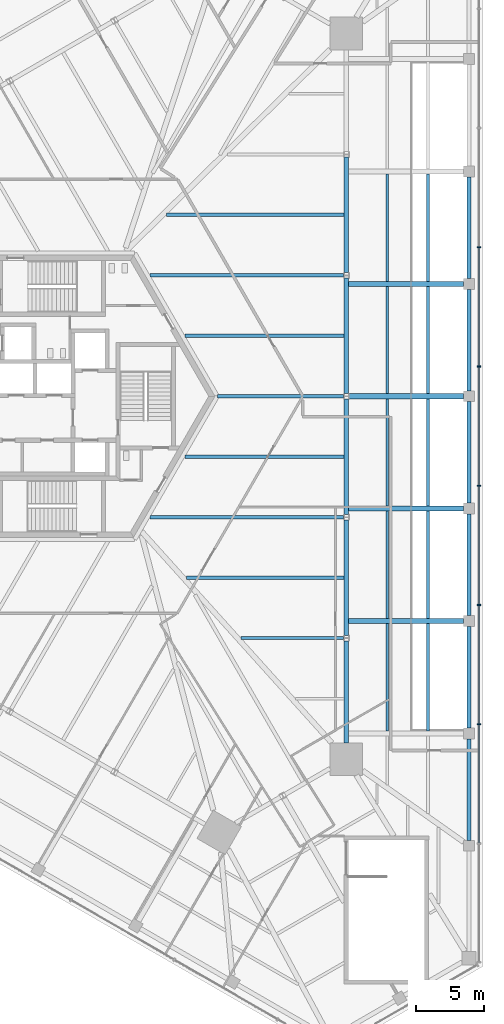
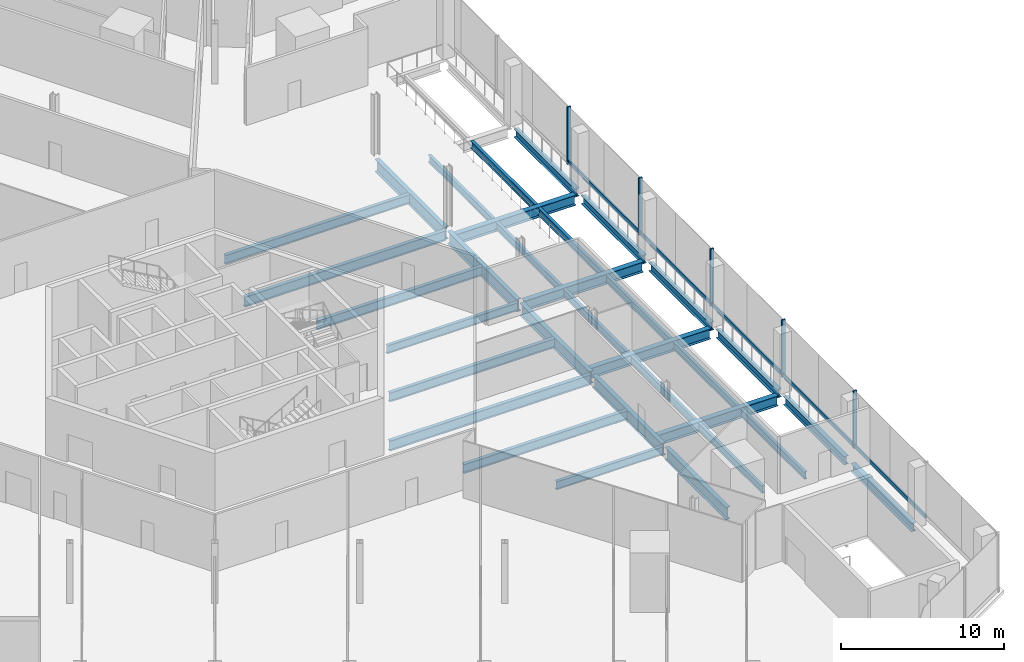
# One storey, part 11 of 25: 33 beams, 10 members, 1 element without a shape of its own.
"""IFC4 building model written with IfcOpenShell, lengths in metres."""

from ifc_helpers import new_model, si_unit, direction, frame, origin, origin_2d, place, context, subcontext, project, spatial, rectangle, i_section, extrude, source, transform, mapped, material, material_profile, profile_set, type_object, element, aggregate, save


model = new_model("IFC4")

# Units and contexts
model_context = context("Model", 3, precision=1e-05, world=origin(), true_north=direction((0.0, 1.0)))
body_context = subcontext(model_context, "Body", "Model", "MODEL_VIEW")
ifc_project = project(units=[si_unit("LENGTHUNIT", "METRE"), si_unit("AREAUNIT", "SQUARE_METRE"), si_unit("VOLUMEUNIT", "CUBIC_METRE"), si_unit("PLANEANGLEUNIT", "RADIAN"), si_unit("MASSUNIT", "GRAM", prefix="KILO")], contexts=[model_context])

# Site, building, storey
site_placement = place(None, origin())
site = spatial("IfcSite", under=ifc_project, at=site_placement, CompositionType="ELEMENT")
building_placement = place(site_placement, origin())
building = spatial("IfcBuilding", under=site, at=building_placement, Name="Triune Harvest Tower", CompositionType="ELEMENT")
storey_placement = place(building_placement, frame((0.0, 0.0, 11.5)))
storey = spatial("IfcBuildingStorey", under=building, at=storey_placement, Name="L02", CompositionType="ELEMENT", Elevation=11.5)

# Beams
ifc_material_1 = material(Name="Steel ASTM A992 Gr 50", Category="steel")
ifc_material_profile_1 = material_profile(ifc_material_1, i_section(OverallWidth=0.309814453125, OverallDepth=0.93212890625, WebThickness=0.02099609375, FlangeThickness=0.034423828125, at=origin_2d()), Name="W36x210")
ifc_profile_set_1 = profile_set([ifc_material_profile_1], Name="Steel ASTM A992 Gr 50")
beam_type_1 = type_object("IfcBeamType", Name="SB-3 Spandrel beam W36x210", PredefinedType="SPANDREL", material=ifc_profile_set_1)
shared_shape_1 = source(origin(), body_context, "Body", "SweptSolid", [
    extrude(i_section(OverallWidth=0.309814453125, OverallDepth=0.93212890625, WebThickness=0.02099609375, FlangeThickness=0.034423828125, at=origin_2d()), origin(), (0.0, 0.0, 1.0), 7.508056640625),
])
beam_1_placement = place(storey_placement, frame((21.679443359375, -25.530029296875, -0.666015625), z_axis=(0.0, 1.0, 0.0), x_axis=(-1.0, 0.0, 0.0)))
element("IfcBeam", 1, at=beam_1_placement, inside=storey, type_object=beam_type_1, Name="beam/L02/SB1", PredefinedType="SPANDREL", context=body_context, shape_type="MappedRepresentation", body=[
    mapped(shared_shape_1, transform((0.0, 0.0, 0.0), scale=1.0)),
])
shared_shape_2 = source(origin(), body_context, "Body", "SweptSolid", [
    extrude(i_section(OverallWidth=0.309814453125, OverallDepth=0.93212890625, WebThickness=0.02099609375, FlangeThickness=0.034423828125, at=origin_2d()), origin(), (0.0, 0.0, 1.0), 8.50634765625),
])
for number, where, z_axis, x_axis, name in (
    (2, (21.679443359375, -17.6181640625, -0.666015625), (0.0, 1.0, 0.0), (-1.0, 0.0, 0.0), "beam/L02/SB2"),
    (3, (21.679443359375, 9.11181640625, -0.666015625), (0.0, 1.0, 0.0), (-1.0, 0.0, 0.0), "beam/L02/SB5"),
):
    element("IfcBeam", number, at=place(storey_placement, frame(where, z_axis=z_axis, x_axis=x_axis)), inside=storey, type_object=beam_type_1, Name=name, PredefinedType="SPANDREL", context=body_context, shape_type="MappedRepresentation", body=[
        mapped(shared_shape_2, transform((0.0, 0.0, 0.0), scale=1.0)),
    ])
shared_shape_3 = source(origin(), body_context, "Body", "SweptSolid", [
    extrude(i_section(OverallWidth=0.309814453125, OverallDepth=0.93212890625, WebThickness=0.02099609375, FlangeThickness=0.034423828125, at=origin_2d()), origin(), (0.0, 0.0, 1.0), 8.506103515625),
])
for number, where, z_axis, x_axis, name in (
    (4, (21.679443359375, -8.7080078125, -0.666015625), (0.0, 1.0, 0.0), (-1.0, 0.0, 0.0), "beam/L02/SB3"),
    (5, (21.679443359375, 0.201904296875, -0.666015625), (0.0, 1.0, 0.0), (-1.0, 0.0, 0.0), "beam/L02/SB4"),
):
    element("IfcBeam", number, at=place(storey_placement, frame(where, z_axis=z_axis, x_axis=x_axis)), inside=storey, type_object=beam_type_1, Name=name, PredefinedType="SPANDREL", context=body_context, shape_type="MappedRepresentation", body=[
        mapped(shared_shape_3, transform((0.0, 0.0, 0.0), scale=1.0)),
    ])
ifc_material_2 = material(Name="Steel ASTM A992 Gr 50", Category="steel")
ifc_material_profile_2 = material_profile(ifc_material_2, i_section(OverallWidth=0.22900390625, OverallDepth=0.612060546875, WebThickness=0.011962890625, FlangeThickness=0.01953125, at=origin_2d()), Name="W24x84")
ifc_profile_set_2 = profile_set([ifc_material_profile_2], Name="Steel ASTM A992 Gr 50")
beam_type_2 = type_object("IfcBeamType", Name="JT-3 Floor joist W24x84", PredefinedType="JOIST", material=ifc_profile_set_2)
shared_shape_4 = source(origin(), body_context, "Body", "SweptSolid", [
    extrude(i_section(OverallWidth=0.22900390625, OverallDepth=0.612060546875, WebThickness=0.011962890625, FlangeThickness=0.01953125, at=origin_2d()), origin(), (0.0, 0.0, 1.0), 7.558349609375),
])
beam_2_placement = place(storey_placement, frame((21.476318359375, -17.820068359375, -0.506103515625), z_axis=(-1.0, 0.0, 0.0), x_axis=(0.0, -1.0, 0.0)))
element("IfcBeam", 6, at=beam_2_placement, inside=storey, type_object=beam_type_2, Name="beam/L02/JT2", PredefinedType="JOIST", context=body_context, shape_type="MappedRepresentation", body=[
    mapped(shared_shape_4, transform((0.0, 0.0, 0.0), scale=1.0)),
])
ifc_material_3 = material(Name="Steel ASTM A992 Gr 50", Category="steel")
ifc_material_profile_3 = material_profile(ifc_material_3, i_section(OverallWidth=0.253662109375, OverallDepth=0.683349609375, WebThickness=0.012451171875, FlangeThickness=0.01904296875, at=origin_2d()), Name="W27x94")
ifc_profile_set_3 = profile_set([ifc_material_profile_3], Name="Steel ASTM A992 Gr 50")
beam_type_3 = type_object("IfcBeamType", Name="JT-4 Floor joist W27x94", PredefinedType="JOIST", material=ifc_profile_set_3)
shared_shape_5 = source(origin(), body_context, "Body", "SweptSolid", [
    extrude(i_section(OverallWidth=0.253662109375, OverallDepth=0.683349609375, WebThickness=0.012451171875, FlangeThickness=0.01904296875, at=origin_2d()), origin(), (0.0, 0.0, 1.0), 11.61669921875),
])
beam_3_placement = place(storey_placement, frame((21.524658203125, -13.364990234375, -0.54150390625), z_axis=(-1.0, 0.0, 0.0), x_axis=(0.0, -1.0, 0.0)))
element("IfcBeam", 7, at=beam_3_placement, inside=storey, type_object=beam_type_3, Name="beam/L02/JT3", PredefinedType="JOIST", context=body_context, shape_type="MappedRepresentation", body=[
    mapped(shared_shape_5, transform((0.0, 0.0, 0.0), scale=1.0)),
])
ifc_material_4 = material(Name="Steel ASTM A992 Gr 50", Category="steel")
ifc_material_profile_4 = material_profile(ifc_material_4, i_section(OverallWidth=0.2666015625, OverallDepth=0.7568359375, WebThickness=0.013916015625, FlangeThickness=0.019287109375, at=origin_2d()), Name="W30x108")
ifc_profile_set_4 = profile_set([ifc_material_profile_4], Name="Steel ASTM A992 Gr 50")
beam_type_4 = type_object("IfcBeamType", Name="JT-5 Floor joist W30x108", PredefinedType="JOIST", material=ifc_profile_set_4)
shared_shape_6 = source(origin(), body_context, "Body", "SweptSolid", [
    extrude(i_section(OverallWidth=0.2666015625, OverallDepth=0.7568359375, WebThickness=0.013916015625, FlangeThickness=0.019287109375, at=origin_2d()), origin(), (0.0, 0.0, 1.0), 14.2685546875),
])
for number, where, z_axis, x_axis, name in (
    (8, (21.476318359375, -8.909912109375, -0.57861328125), (-1.0, 0.0, 0.0), (0.0, -1.0, 0.0), "beam/L02/JT4"),
    (9, (21.476318359375, 8.909912109375, -0.57861328125), (-1.0, 0.0, 0.0), (0.0, -1.0, 0.0), "beam/L02/JT8"),
):
    element("IfcBeam", number, at=place(storey_placement, frame(where, z_axis=z_axis, x_axis=x_axis)), inside=storey, type_object=beam_type_4, Name=name, PredefinedType="JOIST", context=body_context, shape_type="MappedRepresentation", body=[
        mapped(shared_shape_6, transform((0.0, 0.0, 0.0), scale=1.0)),
    ])
shared_shape_7 = source(origin(), body_context, "Body", "SweptSolid", [
    extrude(i_section(OverallWidth=0.253662109375, OverallDepth=0.683349609375, WebThickness=0.012451171875, FlangeThickness=0.01904296875, at=origin_2d()), origin(), (0.0, 0.0, 1.0), 11.744873046875),
])
for number, where, z_axis, x_axis, name in (
    (10, (21.524658203125, -4.455078125, -0.54150390625), (-1.0, 0.0, 0.0), (0.0, -1.0, 0.0), "beam/L02/JT5"),
    (11, (21.524658203125, 4.455078125, -0.54150390625), (-1.0, 0.0, 0.0), (0.0, -1.0, 0.0), "beam/L02/JT7"),
):
    element("IfcBeam", number, at=place(storey_placement, frame(where, z_axis=z_axis, x_axis=x_axis)), inside=storey, type_object=beam_type_3, Name=name, PredefinedType="JOIST", context=body_context, shape_type="MappedRepresentation", body=[
        mapped(shared_shape_7, transform((0.0, 0.0, 0.0), scale=1.0)),
    ])
shared_shape_8 = source(origin(), body_context, "Body", "SweptSolid", [
    extrude(i_section(OverallWidth=0.22900390625, OverallDepth=0.612060546875, WebThickness=0.011962890625, FlangeThickness=0.01953125, at=origin_2d()), origin(), (0.0, 0.0, 1.0), 9.30029296875),
])
beam_4_placement = place(storey_placement, frame((21.476318359375, 0.0, -0.506103515625), z_axis=(-1.0, 0.0, 0.0), x_axis=(0.0, -1.0, 0.0)))
element("IfcBeam", 12, at=beam_4_placement, inside=storey, type_object=beam_type_2, Name="beam/L02/JT6", PredefinedType="JOIST", context=body_context, shape_type="MappedRepresentation", body=[
    mapped(shared_shape_8, transform((0.0, 0.0, 0.0), scale=1.0)),
])
shared_shape_9 = source(origin(), body_context, "Body", "SweptSolid", [
    extrude(i_section(OverallWidth=0.253662109375, OverallDepth=0.683349609375, WebThickness=0.012451171875, FlangeThickness=0.01904296875, at=origin_2d()), origin(), (0.0, 0.0, 1.0), 13.107666015625),
])
beam_5_placement = place(storey_placement, frame((21.524658203125, 13.364990234375, -0.54150390625), z_axis=(-1.0, 0.0, 0.0), x_axis=(0.0, -1.0, 0.0)))
element("IfcBeam", 13, at=beam_5_placement, inside=storey, type_object=beam_type_3, Name="beam/L02/JT9", PredefinedType="JOIST", context=body_context, shape_type="MappedRepresentation", body=[
    mapped(shared_shape_9, transform((0.0, 0.0, 0.0), scale=1.0)),
])
ifc_material_5 = material(Name="Steel ASTM A992 Gr 50", Category="steel")
ifc_material_profile_5 = material_profile(ifc_material_5, i_section(OverallWidth=0.32763671875, OverallDepth=0.62744140625, WebThickness=0.0166015625, FlangeThickness=0.027587890625, at=origin_2d()), Name="W24x146")
ifc_profile_set_5 = profile_set([ifc_material_profile_5], Name="Steel ASTM A992 Gr 50")
beam_type_5 = type_object("IfcBeamType", Name="PD-4 Podium edge beam W24x146", PredefinedType="BEAM", material=ifc_profile_set_5)
shared_shape_10 = source(origin(), body_context, "Body", "SweptSolid", [
    extrude(i_section(OverallWidth=0.32763671875, OverallDepth=0.62744140625, WebThickness=0.0166015625, FlangeThickness=0.027587890625, at=origin_2d()), origin(), (0.0, 0.0, 1.0), 7.47998046875),
])
for number, where, z_axis, x_axis, name in (
    (14, (30.715087890625, -32.719970703125, -0.513671875), (0.0, 1.0, 0.0), (-1.0, 0.0, 0.0), "beam/L02/PE2"),
    (15, (30.715087890625, -24.43994140625, -0.513671875), (0.0, 1.0, 0.0), (-1.0, 0.0, 0.0), "beam/L02/PE3"),
    (16, (30.715087890625, -16.159912109375, -0.513671875), (0.0, 1.0, 0.0), (-1.0, 0.0, 0.0), "beam/L02/PE4"),
    (17, (30.715087890625, -7.8798828125, -0.513671875), (0.0, 1.0, 0.0), (-1.0, 0.0, 0.0), "beam/L02/PE5"),
    (18, (30.715087890625, 0.39990234375, -0.513671875), (0.0, 1.0, 0.0), (-1.0, 0.0, 0.0), "beam/L02/PE6"),
    (19, (30.715087890625, 8.679931640625, -0.513671875), (0.0, 1.0, 0.0), (-1.0, 0.0, 0.0), "beam/L02/PE7"),
):
    element("IfcBeam", number, at=place(storey_placement, frame(where, z_axis=z_axis, x_axis=x_axis)), inside=storey, type_object=beam_type_5, Name=name, PredefinedType="BEAM", context=body_context, shape_type="MappedRepresentation", body=[
        mapped(shared_shape_10, transform((0.0, 0.0, 0.0), scale=1.0)),
    ])
ifc_material_6 = material(Name="Steel ASTM A992 Gr 50", Category="steel")
ifc_material_profile_6 = material_profile(ifc_material_6, i_section(OverallWidth=0.381103515625, OverallDepth=0.772216796875, WebThickness=0.0166015625, FlangeThickness=0.027099609375, at=origin_2d()), Name="W30x173")
ifc_profile_set_6 = profile_set([ifc_material_profile_6], Name="Steel ASTM A992 Gr 50")
beam_type_6 = type_object("IfcBeamType", Name="PD-3 Podium girder W30x173", PredefinedType="BEAM", material=ifc_profile_set_6)
shared_shape_11 = source(origin(), body_context, "Body", "SweptSolid", [
    extrude(i_section(OverallWidth=0.381103515625, OverallDepth=0.772216796875, WebThickness=0.0166015625, FlangeThickness=0.027099609375, at=origin_2d()), origin(), (0.0, 0.0, 1.0), 8.480712890625),
])
for number, where, z_axis, x_axis, name in (
    (20, (30.315185546875, -16.56005859375, -0.586181640625), (-1.0, 0.0, 0.0), (0.0, -1.0, 0.0), "beam/L02/PR5"),
    (21, (30.315185546875, -8.280029296875, -0.586181640625), (-1.0, 0.0, 0.0), (0.0, -1.0, 0.0), "beam/L02/PR6"),
    (22, (30.315185546875, 8.280029296875, -0.586181640625), (-1.0, 0.0, 0.0), (0.0, -1.0, 0.0), "beam/L02/PR8"),
):
    element("IfcBeam", number, at=place(storey_placement, frame(where, z_axis=z_axis, x_axis=x_axis)), inside=storey, type_object=beam_type_6, Name=name, PredefinedType="BEAM", context=body_context, shape_type="MappedRepresentation", body=[
        mapped(shared_shape_11, transform((0.0, 0.0, 0.0), scale=1.0)),
    ])
shared_shape_12 = source(origin(), body_context, "Body", "SweptSolid", [
    extrude(i_section(OverallWidth=0.381103515625, OverallDepth=0.772216796875, WebThickness=0.0166015625, FlangeThickness=0.027099609375, at=origin_2d()), origin(), (0.0, 0.0, 1.0), 8.432373046875),
])
beam_6_placement = place(storey_placement, frame((30.315185546875, 0.0, -0.586181640625), z_axis=(-1.0, 0.0, 0.0), x_axis=(0.0, -1.0, 0.0)))
element("IfcBeam", 23, at=beam_6_placement, inside=storey, type_object=beam_type_6, Name="beam/L02/PR7", PredefinedType="BEAM", context=body_context, shape_type="MappedRepresentation", body=[
    mapped(shared_shape_12, transform((0.0, 0.0, 0.0), scale=1.0)),
])
ifc_material_7 = material(Name="Steel ASTM A992 Gr 50", Category="steel")
ifc_material_profile_7 = material_profile(ifc_material_7, i_section(OverallWidth=0.2138671875, OverallDepth=0.548583984375, WebThickness=0.0146484375, FlangeThickness=0.023681640625, at=origin_2d()), Name="W21x93")
ifc_profile_set_7 = profile_set([ifc_material_profile_7], Name="Steel ASTM A992 Gr 50")
beam_type_7 = type_object("IfcBeamType", Name="PD-5 Podium joist W21x93", PredefinedType="JOIST", material=ifc_profile_set_7)
shared_shape_13 = source(origin(), body_context, "Body", "SweptSolid", [
    extrude(i_section(OverallWidth=0.2138671875, OverallDepth=0.548583984375, WebThickness=0.0146484375, FlangeThickness=0.023681640625, at=origin_2d()), origin(), (0.0, 0.0, 1.0), 7.89892578125),
])
for number, where, z_axis, x_axis, name in (
    (24, (27.703125, -24.6494140625, -0.474365234375), (0.0, 1.0, 0.0), (-1.0, 0.0, 0.0), "beam/L02/PJ6"),
    (25, (24.69140625, -24.6494140625, -0.474365234375), (0.0, 1.0, 0.0), (-1.0, 0.0, 0.0), "beam/L02/PJ7"),
    (26, (27.703125, -16.369384765625, -0.474365234375), (0.0, 1.0, 0.0), (-1.0, 0.0, 0.0), "beam/L02/PJ8"),
    (27, (24.69140625, -16.369384765625, -0.474365234375), (0.0, 1.0, 0.0), (-1.0, 0.0, 0.0), "beam/L02/PJ9"),
    (28, (27.703125, 8.470458984375, -0.474365234375), (0.0, 1.0, 0.0), (-1.0, 0.0, 0.0), "beam/L02/PJ14"),
    (29, (24.69140625, 8.470458984375, -0.474365234375), (0.0, 1.0, 0.0), (-1.0, 0.0, 0.0), "beam/L02/PJ15"),
):
    element("IfcBeam", number, at=place(storey_placement, frame(where, z_axis=z_axis, x_axis=x_axis)), inside=storey, type_object=beam_type_7, Name=name, PredefinedType="JOIST", context=body_context, shape_type="MappedRepresentation", body=[
        mapped(shared_shape_13, transform((0.0, 0.0, 0.0), scale=1.0)),
    ])
shared_shape_14 = source(origin(), body_context, "Body", "SweptSolid", [
    extrude(i_section(OverallWidth=0.2138671875, OverallDepth=0.548583984375, WebThickness=0.0146484375, FlangeThickness=0.023681640625, at=origin_2d()), origin(), (0.0, 0.0, 1.0), 7.899169921875),
])
for number, where, z_axis, x_axis, name in (
    (30, (27.703125, -8.089599609375, -0.474365234375), (0.0, 1.0, 0.0), (-1.0, 0.0, 0.0), "beam/L02/PJ10"),
    (31, (24.69140625, -8.089599609375, -0.474365234375), (0.0, 1.0, 0.0), (-1.0, 0.0, 0.0), "beam/L02/PJ11"),
    (32, (27.703125, 0.1904296875, -0.474365234375), (0.0, 1.0, 0.0), (-1.0, 0.0, 0.0), "beam/L02/PJ12"),
    (33, (24.69140625, 0.1904296875, -0.474365234375), (0.0, 1.0, 0.0), (-1.0, 0.0, 0.0), "beam/L02/PJ13"),
):
    element("IfcBeam", number, at=place(storey_placement, frame(where, z_axis=z_axis, x_axis=x_axis)), inside=storey, type_object=beam_type_7, Name=name, PredefinedType="JOIST", context=body_context, shape_type="MappedRepresentation", body=[
        mapped(shared_shape_14, transform((0.0, 0.0, 0.0), scale=1.0)),
    ])

# Curtain wall, members
ifc_material_8 = material(Name="Aluminium bronze anodised", Category="aluminium")
curtain_wall_type = type_object("IfcCurtainWallType", Name="CW-2 Podium shopfront wall", PredefinedType="NOTDEFINED", material=ifc_material_8)
curtain_wall_placement = place(storey_placement, origin())
curtain_wall = element("IfcCurtainWall", 34, at=curtain_wall_placement, inside=storey, type_object=curtain_wall_type, Name="CW-2 PD-F1 L02 run 1")
ifc_material_9 = material(Name="Aluminium bronze anodised", Category="aluminium")
ifc_material_profile_8 = material_profile(ifc_material_9, rectangle(XDim=0.25, YDim=0.090087890625, at=origin_2d()), Name="MU-2 mullion 90 x 250")
ifc_profile_set_8 = profile_set([ifc_material_profile_8], Name="Aluminium bronze anodised")
member_type_1 = type_object("IfcMemberType", Name="MU-2 mullion 90 x 250", PredefinedType="MULLION", material=ifc_profile_set_8)
shared_shape_15 = source(origin(), body_context, "Body", "SweptSolid", [
    extrude(rectangle(XDim=0.25, YDim=0.090087890625, at=origin_2d()), origin(), (0.0, 0.0, 1.0), 4.300048828125),
])
member_1_placement = place(storey_placement, frame((31.454345703125, -24.163330078125, 0.0), z_axis=(0.0, 0.0, 1.0), x_axis=(-1.0, 0.0, 0.0)))
member_1 = element("IfcMember", 35, at=member_1_placement, type_object=member_type_1, Name="CW-2 mullion PD-F1 1.5", PredefinedType="MULLION", context=body_context, shape_type="MappedRepresentation", body=[
    mapped(shared_shape_15, transform((0.0, 0.0, 0.0), scale=1.0)),
])
member_2_placement = place(storey_placement, frame((31.454345703125, -15.376708984375, 0.0), z_axis=(0.0, 0.0, 1.0), x_axis=(-1.0, 0.0, 0.0)))
member_2 = element("IfcMember", 36, at=member_2_placement, type_object=member_type_1, Name="CW-2 mullion PD-F1 1.7", PredefinedType="MULLION", context=body_context, shape_type="MappedRepresentation", body=[
    mapped(shared_shape_15, transform((0.0, 0.0, 0.0), scale=1.0)),
])
member_3_placement = place(storey_placement, frame((31.454345703125, -6.590087890625, 0.0), z_axis=(0.0, 0.0, 1.0), x_axis=(-1.0, 0.0, 0.0)))
member_3 = element("IfcMember", 37, at=member_3_placement, type_object=member_type_1, Name="CW-2 mullion PD-F1 1.9", PredefinedType="MULLION", context=body_context, shape_type="MappedRepresentation", body=[
    mapped(shared_shape_15, transform((0.0, 0.0, 0.0), scale=1.0)),
])
member_4_placement = place(storey_placement, frame((31.454345703125, 2.19677734375, 0.0), z_axis=(0.0, 0.0, 1.0), x_axis=(-1.0, 0.0, 0.0)))
member_4 = element("IfcMember", 38, at=member_4_placement, type_object=member_type_1, Name="CW-2 mullion PD-F1 1.11", PredefinedType="MULLION", context=body_context, shape_type="MappedRepresentation", body=[
    mapped(shared_shape_15, transform((0.0, 0.0, 0.0), scale=1.0)),
])
member_5_placement = place(storey_placement, frame((31.454345703125, 10.9833984375, 0.0), z_axis=(0.0, 0.0, 1.0), x_axis=(-1.0, 0.0, 0.0)))
member_5 = element("IfcMember", 39, at=member_5_placement, type_object=member_type_1, Name="CW-2 mullion PD-F1 1.13", PredefinedType="MULLION", context=body_context, shape_type="MappedRepresentation", body=[
    mapped(shared_shape_15, transform((0.0, 0.0, 0.0), scale=1.0)),
])
ifc_material_10 = material(Name="Aluminium bronze anodised", Category="aluminium")
ifc_material_profile_9 = material_profile(ifc_material_10, rectangle(XDim=0.10009765625, YDim=0.300048828125, at=origin_2d()), Name="TR-2 transom 100 x 300")
ifc_profile_set_9 = profile_set([ifc_material_profile_9], Name="Aluminium bronze anodised")
member_type_2 = type_object("IfcMemberType", Name="TR-2 transom 100 x 300", PredefinedType="USERDEFINED", material=ifc_profile_set_9)
shared_shape_16 = source(origin(), body_context, "Body", "SweptSolid", [
    extrude(rectangle(XDim=0.10009765625, YDim=0.300048828125, at=origin_2d()), origin(), (0.0, 0.0, 1.0), 8.696533203125),
])
member_6_placement = place(storey_placement, frame((31.454345703125, -32.905029296875, 0.14990234375), z_axis=(0.0, 1.0, 0.0), x_axis=(-1.0, 0.0, 0.0)))
member_6 = element("IfcMember", 40, at=member_6_placement, type_object=member_type_2, Name="CW-2 transom PD-F1 1.2", ObjectType="TRANSOM", PredefinedType="USERDEFINED", context=body_context, shape_type="MappedRepresentation", body=[
    mapped(shared_shape_16, transform((0.0, 0.0, 0.0), scale=1.0)),
])
member_7_placement = place(storey_placement, frame((31.454345703125, -6.544921875, 0.14990234375), z_axis=(0.0, 1.0, 0.0), x_axis=(-1.0, 0.0, 0.0)))
member_7 = element("IfcMember", 41, at=member_7_placement, type_object=member_type_2, Name="CW-2 transom PD-F1 1.5", ObjectType="TRANSOM", PredefinedType="USERDEFINED", context=body_context, shape_type="MappedRepresentation", body=[
    mapped(shared_shape_16, transform((0.0, 0.0, 0.0), scale=1.0)),
])
shared_shape_17 = source(origin(), body_context, "Body", "SweptSolid", [
    extrude(rectangle(XDim=0.10009765625, YDim=0.300048828125, at=origin_2d()), origin(), (0.0, 0.0, 1.0), 8.69677734375),
])
member_8_placement = place(storey_placement, frame((31.454345703125, -24.118408203125, 0.14990234375), z_axis=(0.0, 1.0, 0.0), x_axis=(-1.0, 0.0, 0.0)))
member_8 = element("IfcMember", 42, at=member_8_placement, type_object=member_type_2, Name="CW-2 transom PD-F1 1.3", ObjectType="TRANSOM", PredefinedType="USERDEFINED", context=body_context, shape_type="MappedRepresentation", body=[
    mapped(shared_shape_17, transform((0.0, 0.0, 0.0), scale=1.0)),
])
member_9_placement = place(storey_placement, frame((31.454345703125, -15.331787109375, 0.14990234375), z_axis=(0.0, 1.0, 0.0), x_axis=(-1.0, 0.0, 0.0)))
member_9 = element("IfcMember", 43, at=member_9_placement, type_object=member_type_2, Name="CW-2 transom PD-F1 1.4", ObjectType="TRANSOM", PredefinedType="USERDEFINED", context=body_context, shape_type="MappedRepresentation", body=[
    mapped(shared_shape_17, transform((0.0, 0.0, 0.0), scale=1.0)),
])
member_10_placement = place(storey_placement, frame((31.454345703125, 2.24169921875, 0.14990234375), z_axis=(0.0, 1.0, 0.0), x_axis=(-1.0, 0.0, 0.0)))
member_10 = element("IfcMember", 44, at=member_10_placement, type_object=member_type_2, Name="CW-2 transom PD-F1 1.6", ObjectType="TRANSOM", PredefinedType="USERDEFINED", context=body_context, shape_type="MappedRepresentation", body=[
    mapped(shared_shape_17, transform((0.0, 0.0, 0.0), scale=1.0)),
])
aggregate(curtain_wall, [member_1, member_2, member_3, member_4, member_5, member_6, member_8, member_9, member_7, member_10])

save(model, "model.ifc")
